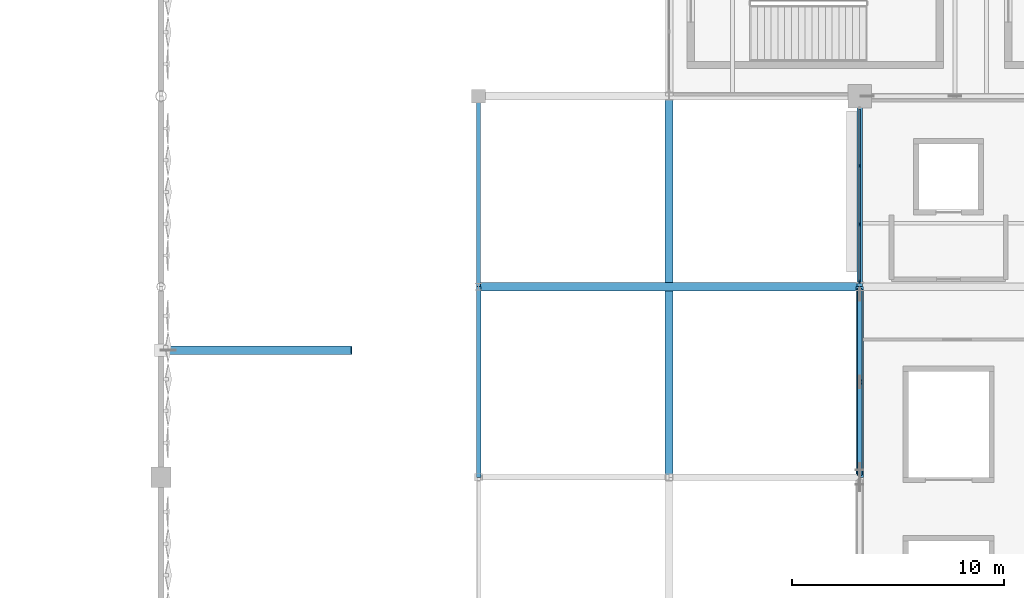
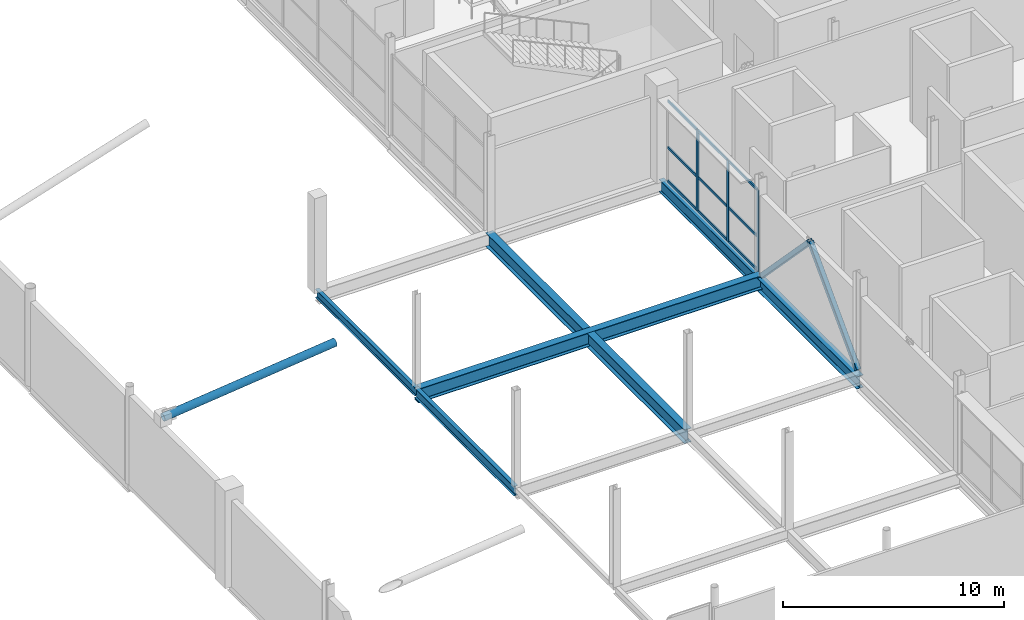
# One storey, part 54 of 119: 15 members, 6 beams, 1 element without a shape of its own.
"""IFC4 building model written with IfcOpenShell, lengths in metres."""

from ifc_helpers import new_model, si_unit, direction, frame, origin, origin_2d, place, context, subcontext, project, spatial, rectangle, hollow_rectangle, hollow_circle, i_section, extrude, material, layer, layer_set, material_profile, profile_set, type_object, element, aggregate, save


model = new_model("IFC4")

# Units and contexts
model_context = context("Model", 3, precision=1e-05, world=origin(), true_north=direction((0.0, 1.0)))
body_context = subcontext(model_context, "Body", "Model", "MODEL_VIEW")
ifc_project = project(units=[si_unit("LENGTHUNIT", "METRE"), si_unit("AREAUNIT", "SQUARE_METRE"), si_unit("VOLUMEUNIT", "CUBIC_METRE"), si_unit("PLANEANGLEUNIT", "RADIAN"), si_unit("MASSUNIT", "GRAM", prefix="KILO")], contexts=[model_context])

# Site, building, storey
site_placement = place(None, origin())
site = spatial("IfcSite", under=ifc_project, at=site_placement, CompositionType="ELEMENT")
building_placement = place(site_placement, origin())
building = spatial("IfcBuilding", under=site, at=building_placement, Name="Qamarlyn Nura Convention Centre", CompositionType="ELEMENT")
storey_placement = place(building_placement, frame((0.0, 0.0, 5.39990234375)))
storey = spatial("IfcBuildingStorey", under=building, at=storey_placement, Name="L01", CompositionType="ELEMENT", Elevation=5.39990234375)

# Beams
ifc_material_1 = material(Name="Steel ASTM A992", Category="steel")
ifc_material_profile_1 = material_profile(ifc_material_1, i_section(OverallWidth=0.35498046875, OverallDepth=0.695068359375, WebThickness=0.015380859375, FlangeThickness=0.02490234375, FilletRadius=0.01806640625, at=origin_2d()), Name="W690X217")
ifc_profile_set_1 = profile_set([ifc_material_profile_1], Name="Steel ASTM A992")
beam_type_1 = type_object("IfcBeamType", Name="BM-GIRD-690A", PredefinedType="BEAM", material=ifc_profile_set_1)
beam_1_placement = place(storey_placement, frame((153.0, 63.0, -0.5673828125), z_axis=(0.0, 1.0, 0.0), x_axis=(-1.0, 0.0, 0.0)))
element("IfcBeam", 1, at=beam_1_placement, inside=storey, type_object=beam_type_1, Name="L01 girder 13 H-J", PredefinedType="BEAM", context=body_context, shape_type="SweptSolid", body=[
    extrude(i_section(OverallWidth=0.35498046875, OverallDepth=0.695068359375, WebThickness=0.015380859375, FlangeThickness=0.02490234375, FilletRadius=0.01806640625, at=origin_2d()), origin(), (0.0, 0.0, 1.0), 9.0),
])
ifc_material_profile_2 = material_profile(ifc_material_1, i_section(OverallWidth=0.25390625, OverallDepth=0.68408203125, WebThickness=0.012451171875, FlangeThickness=0.01904296875, FilletRadius=0.01806640625, at=origin_2d()), Name="W690X140")
ifc_profile_set_2 = profile_set([ifc_material_profile_2], Name="Steel ASTM A992")
beam_type_2 = type_object("IfcBeamType", Name="BM-GIRD-690B", PredefinedType="BEAM", material=ifc_profile_set_2)
beam_2_placement = place(storey_placement, frame((153.0, 72.0, -0.56201171875), z_axis=(0.0, 1.0, 0.0), x_axis=(-1.0, 0.0, 0.0)))
element("IfcBeam", 2, at=beam_2_placement, inside=storey, type_object=beam_type_2, Name="L01 girder 13 J-K", PredefinedType="BEAM", context=body_context, shape_type="SweptSolid", body=[
    extrude(i_section(OverallWidth=0.25390625, OverallDepth=0.68408203125, WebThickness=0.012451171875, FlangeThickness=0.01904296875, FilletRadius=0.01806640625, at=origin_2d()), origin(), (0.0, 0.0, 1.0), 9.0),
])
ifc_material_profile_3 = material_profile(ifc_material_1, i_section(OverallWidth=0.381103515625, OverallDepth=0.77294921875, WebThickness=0.0166015625, FlangeThickness=0.027587890625, FilletRadius=0.02001953125, at=origin_2d()), Name="W760X257")
ifc_profile_set_3 = profile_set([ifc_material_profile_3], Name="Steel ASTM A992")
beam_type_3 = type_object("IfcBeamType", Name="BM-GIRD-760", PredefinedType="BEAM", material=ifc_profile_set_3)
for number, where, z_axis, x_axis, name in (
    (3, (135.0, 72.0, -0.386474609375), (1.0, 0.0, 0.0), (0.0, 1.0, 0.0), "L01 girder J 11-13"),
    (4, (144.0, 63.0, -0.386474609375), (0.0, 1.0, 0.0), (-1.0, 0.0, 0.0), "L01 girder 12 H-K"),
):
    element("IfcBeam", number, at=place(storey_placement, frame(where, z_axis=z_axis, x_axis=x_axis)), inside=storey, type_object=beam_type_3, Name=name, PredefinedType="BEAM", context=body_context, shape_type="SweptSolid", body=[
        extrude(i_section(OverallWidth=0.381103515625, OverallDepth=0.77294921875, WebThickness=0.0166015625, FlangeThickness=0.027587890625, FilletRadius=0.02001953125, at=origin_2d()), origin(), (0.0, 0.0, 1.0), 18.0),
    ])
ifc_material_profile_4 = material_profile(ifc_material_1, i_section(OverallWidth=0.193115234375, OverallDepth=0.466064453125, WebThickness=0.011474609375, FlangeThickness=0.01904296875, FilletRadius=0.012939453125, at=origin_2d()), Name="W460X97")
ifc_profile_set_4 = profile_set([ifc_material_profile_4], Name="Steel ASTM A992")
beam_type_4 = type_object("IfcBeamType", Name="BM-SPAN-460", PredefinedType="SPANDREL", material=ifc_profile_set_4)
beam_3_placement = place(storey_placement, frame((135.0, 72.0, -0.23291015625), z_axis=(0.0, 1.0, 0.0), x_axis=(-1.0, 0.0, 0.0)))
element("IfcBeam", 5, at=beam_3_placement, inside=storey, type_object=beam_type_4, Name="L01 girder 11 J-K", PredefinedType="SPANDREL", context=body_context, shape_type="SweptSolid", body=[
    extrude(i_section(OverallWidth=0.193115234375, OverallDepth=0.466064453125, WebThickness=0.011474609375, FlangeThickness=0.01904296875, FilletRadius=0.012939453125, at=origin_2d()), origin(), (0.0, 0.0, 1.0), 9.0),
])
ifc_material_profile_5 = material_profile(ifc_material_1, i_section(OverallWidth=0.2109375, OverallDepth=0.5390625, WebThickness=0.01171875, FlangeThickness=0.018798828125, FilletRadius=0.013916015625, at=origin_2d()), Name="W530X109")
ifc_profile_set_5 = profile_set([ifc_material_profile_5], Name="Steel ASTM A992")
beam_type_5 = type_object("IfcBeamType", Name="BM-SPAN-530", PredefinedType="SPANDREL", material=ifc_profile_set_5)
beam_4_placement = place(storey_placement, frame((135.0, 63.0, -0.269287109375), z_axis=(0.0, 1.0, 0.0), x_axis=(-1.0, 0.0, 0.0)))
element("IfcBeam", 6, at=beam_4_placement, inside=storey, type_object=beam_type_5, Name="L01 girder 11 H-J", PredefinedType="SPANDREL", context=body_context, shape_type="SweptSolid", body=[
    extrude(i_section(OverallWidth=0.2109375, OverallDepth=0.5390625, WebThickness=0.01171875, FlangeThickness=0.018798828125, FilletRadius=0.013916015625, at=origin_2d()), origin(), (0.0, 0.0, 1.0), 9.0),
])

# Members
ifc_material_2 = material(Name="Steel ASTM A500 Grade C", Category="steel")
ifc_material_profile_6 = material_profile(ifc_material_2, hollow_rectangle(XDim=0.25, YDim=0.25, WallThickness=0.012451171875, InnerFilletRadius=0.012451171875, OuterFilletRadius=0.02490234375, at=origin_2d()), Name="HSS250X250X12.5")
ifc_profile_set_6 = profile_set([ifc_material_profile_6], Name="Steel ASTM A500 Grade C")
member_type_1 = type_object("IfcMemberType", Name="CBF-BRC-250", PredefinedType="BRACE", material=ifc_profile_set_6)
for number, where, z_axis, x_axis, name in (
    (7, (153.0, 63.179931640625, 0.0), (0.0, 0.693731336824, 0.720233873342), (-1.0, 0.0, 0.0), "L01 SCBF chevron brace CBF-E2L"),
    (8, (153.0, 71.820068359375, 0.0), (0.0, -0.693731336824, 0.720233873342), (1.0, 0.0, 0.0), "L01 SCBF chevron brace CBF-E2R"),
):
    element("IfcMember", number, at=place(storey_placement, frame(where, z_axis=z_axis, x_axis=x_axis)), inside=storey, type_object=member_type_1, Name=name, PredefinedType="BRACE", context=body_context, shape_type="SweptSolid", body=[
        extrude(hollow_rectangle(XDim=0.25, YDim=0.25, WallThickness=0.012451171875, InnerFilletRadius=0.012451171875, OuterFilletRadius=0.02490234375, at=origin_2d()), origin(), (0.0, 0.0, 1.0), 6.227294921875),
    ])

# Curtain wall, members
ifc_material_3 = material(Name="Double-silver low-E insulated glass", Category="glass")
ifc_layer = layer(ifc_material_3, 0.179931640625, Name="CW-UNIT-63")
ifc_layer_set = layer_set([ifc_layer], Name="Double-silver low-E insulated glass")
curtain_wall_type = type_object("IfcCurtainWallType", Name="CW-UNIT-63", PredefinedType="NOTDEFINED", material=ifc_layer_set)
curtain_wall_placement = place(storey_placement, origin())
curtain_wall = element("IfcCurtainWall", 9, at=curtain_wall_placement, inside=storey, type_object=curtain_wall_type, Name="L01 unitised curtain wall CRT-72-1", PredefinedType="NOTDEFINED")
ifc_material_4 = material(Name="Champagne-anodised marine aluminium", Category="aluminium")
ifc_material_profile_7 = material_profile(ifc_material_4, rectangle(XDim=0.070068359375, YDim=0.179931640625, at=origin_2d()), Name="ALU MULLION 70x180")
ifc_profile_set_7 = profile_set([ifc_material_profile_7], Name="Champagne-anodised marine aluminium")
member_type_2 = type_object("IfcMemberType", Name="CWM-180", PredefinedType="MULLION", material=ifc_profile_set_7)
member_1_placement = place(storey_placement, frame((153.0, 72.24755859375, 0.0), z_axis=(0.0, 0.0, 1.0), x_axis=(-1.0, 0.0, 0.0)))
member_1 = element("IfcMember", 10, at=member_1_placement, type_object=member_type_2, Name="CW63 mullion 1", PredefinedType="MULLION", context=body_context, shape_type="SweptSolid", body=[
    extrude(rectangle(XDim=0.070068359375, YDim=0.179931640625, at=origin_2d()), origin(), (0.0, 0.0, 1.0), 4.481201171875),
])
member_2_placement = place(storey_placement, frame((153.0, 74.958251953125, 0.0), z_axis=(0.0, 0.0, 1.0), x_axis=(-1.0, 0.0, 0.0)))
member_2 = element("IfcMember", 11, at=member_2_placement, type_object=member_type_2, Name="CW63 mullion 2", PredefinedType="MULLION", context=body_context, shape_type="SweptSolid", body=[
    extrude(rectangle(XDim=0.070068359375, YDim=0.179931640625, at=origin_2d()), origin(), (0.0, 0.0, 1.0), 4.481201171875),
])
member_3_placement = place(storey_placement, frame((153.0, 77.7041015625, 0.0), z_axis=(0.0, 0.0, 1.0), x_axis=(-1.0, 0.0, 0.0)))
member_3 = element("IfcMember", 12, at=member_3_placement, type_object=member_type_2, Name="CW63 mullion 3", PredefinedType="MULLION", context=body_context, shape_type="SweptSolid", body=[
    extrude(rectangle(XDim=0.070068359375, YDim=0.179931640625, at=origin_2d()), origin(), (0.0, 0.0, 1.0), 4.481201171875),
])
ifc_material_profile_8 = material_profile(ifc_material_4, rectangle(XDim=0.070068359375, YDim=0.139892578125, at=origin_2d()), Name="ALU TRANSOM 70x140")
ifc_profile_set_8 = profile_set([ifc_material_profile_8], Name="Champagne-anodised marine aluminium")
member_type_3 = type_object("IfcMemberType", Name="CWT-140", PredefinedType="USERDEFINED", material=ifc_profile_set_8)
member_4_placement = place(storey_placement, frame((153.0, 72.282470703125, 0.03515625), z_axis=(0.0, 1.0, 0.0), x_axis=(-1.0, 0.0, 0.0)))
member_4 = element("IfcMember", 13, at=member_4_placement, type_object=member_type_3, Name="CW63 transom 1.1", ObjectType="TRANSOM", PredefinedType="USERDEFINED", context=body_context, shape_type="SweptSolid", body=[
    extrude(rectangle(XDim=0.070068359375, YDim=0.139892578125, at=origin_2d()), origin(), (0.0, 0.0, 1.0), 2.640869140625),
])
member_5_placement = place(storey_placement, frame((153.0, 72.282470703125, 1.882080078125), z_axis=(0.0, 1.0, 0.0), x_axis=(-1.0, 0.0, 0.0)))
member_5 = element("IfcMember", 14, at=member_5_placement, type_object=member_type_3, Name="CW63 transom 1.2", ObjectType="TRANSOM", PredefinedType="USERDEFINED", context=body_context, shape_type="SweptSolid", body=[
    extrude(rectangle(XDim=0.070068359375, YDim=0.139892578125, at=origin_2d()), origin(), (0.0, 0.0, 1.0), 2.640869140625),
])
member_6_placement = place(storey_placement, frame((153.0, 72.282470703125, 4.446044921875), z_axis=(0.0, 1.0, 0.0), x_axis=(-1.0, 0.0, 0.0)))
member_6 = element("IfcMember", 15, at=member_6_placement, type_object=member_type_3, Name="CW63 transom 1.3", ObjectType="TRANSOM", PredefinedType="USERDEFINED", context=body_context, shape_type="SweptSolid", body=[
    extrude(rectangle(XDim=0.070068359375, YDim=0.139892578125, at=origin_2d()), origin(), (0.0, 0.0, 1.0), 2.640869140625),
])
member_7_placement = place(storey_placement, frame((153.0, 74.993408203125, 0.03515625), z_axis=(0.0, 1.0, 0.0), x_axis=(-1.0, 0.0, 0.0)))
member_7 = element("IfcMember", 16, at=member_7_placement, type_object=member_type_3, Name="CW63 transom 2.1", ObjectType="TRANSOM", PredefinedType="USERDEFINED", context=body_context, shape_type="SweptSolid", body=[
    extrude(rectangle(XDim=0.070068359375, YDim=0.139892578125, at=origin_2d()), origin(), (0.0, 0.0, 1.0), 2.67578125),
])
member_8_placement = place(storey_placement, frame((153.0, 74.993408203125, 1.882080078125), z_axis=(0.0, 1.0, 0.0), x_axis=(-1.0, 0.0, 0.0)))
member_8 = element("IfcMember", 17, at=member_8_placement, type_object=member_type_3, Name="CW63 transom 2.2", ObjectType="TRANSOM", PredefinedType="USERDEFINED", context=body_context, shape_type="SweptSolid", body=[
    extrude(rectangle(XDim=0.070068359375, YDim=0.139892578125, at=origin_2d()), origin(), (0.0, 0.0, 1.0), 2.67578125),
])
member_9_placement = place(storey_placement, frame((153.0, 74.993408203125, 4.446044921875), z_axis=(0.0, 1.0, 0.0), x_axis=(-1.0, 0.0, 0.0)))
member_9 = element("IfcMember", 18, at=member_9_placement, type_object=member_type_3, Name="CW63 transom 2.3", ObjectType="TRANSOM", PredefinedType="USERDEFINED", context=body_context, shape_type="SweptSolid", body=[
    extrude(rectangle(XDim=0.070068359375, YDim=0.139892578125, at=origin_2d()), origin(), (0.0, 0.0, 1.0), 2.67578125),
])
member_10_placement = place(storey_placement, frame((153.0, 77.7392578125, 0.03515625), z_axis=(0.0, 1.0, 0.0), x_axis=(-1.0, 0.0, 0.0)))
member_10 = element("IfcMember", 19, at=member_10_placement, type_object=member_type_3, Name="CW63 transom 3.1", ObjectType="TRANSOM", PredefinedType="USERDEFINED", context=body_context, shape_type="SweptSolid", body=[
    extrude(rectangle(XDim=0.070068359375, YDim=0.139892578125, at=origin_2d()), origin(), (0.0, 0.0, 1.0), 2.640625),
])
member_11_placement = place(storey_placement, frame((153.0, 77.7392578125, 1.882080078125), z_axis=(0.0, 1.0, 0.0), x_axis=(-1.0, 0.0, 0.0)))
member_11 = element("IfcMember", 20, at=member_11_placement, type_object=member_type_3, Name="CW63 transom 3.2", ObjectType="TRANSOM", PredefinedType="USERDEFINED", context=body_context, shape_type="SweptSolid", body=[
    extrude(rectangle(XDim=0.070068359375, YDim=0.139892578125, at=origin_2d()), origin(), (0.0, 0.0, 1.0), 2.640625),
])
member_12_placement = place(storey_placement, frame((153.0, 77.7392578125, 4.446044921875), z_axis=(0.0, 1.0, 0.0), x_axis=(-1.0, 0.0, 0.0)))
member_12 = element("IfcMember", 21, at=member_12_placement, type_object=member_type_3, Name="CW63 transom 3.3", ObjectType="TRANSOM", PredefinedType="USERDEFINED", context=body_context, shape_type="SweptSolid", body=[
    extrude(rectangle(XDim=0.070068359375, YDim=0.139892578125, at=origin_2d()), origin(), (0.0, 0.0, 1.0), 2.640625),
])
aggregate(curtain_wall, [member_1, member_2, member_3, member_4, member_5, member_6, member_7, member_8, member_9, member_10, member_11, member_12])

# Member
ifc_material_5 = material(Name="Pearl-white PVDF steel ASTM A500 Grade C", Category="steel")
ifc_material_profile_9 = material_profile(ifc_material_5, hollow_circle(Radius=0.203125, WallThickness=0.01611328125, at=origin_2d()), Name="CHS406.4X16")
ifc_profile_set_9 = profile_set([ifc_material_profile_9], Name="Pearl-white PVDF steel ASTM A500 Grade C")
member_type_4 = type_object("IfcMemberType", Name="STR-TREE-01", PredefinedType="BRACE", material=ifc_profile_set_9)
member_13_placement = place(storey_placement, frame((120.0, 69.0, 5.400146484375), z_axis=(0.993815490982, 0.0, 0.111043999766), x_axis=(0.0, 1.0, 0.0)))
element("IfcMember", 22, at=member_13_placement, inside=storey, type_object=member_type_4, Name="Raked tree strut RTS-E-5", PredefinedType="BRACE", context=body_context, shape_type="SweptSolid", body=[
    extrude(hollow_circle(Radius=0.203125, WallThickness=0.01611328125, at=origin_2d()), origin(), (0.0, 0.0, 1.0), 9.055908203125),
])

save(model, "model.ifc")
